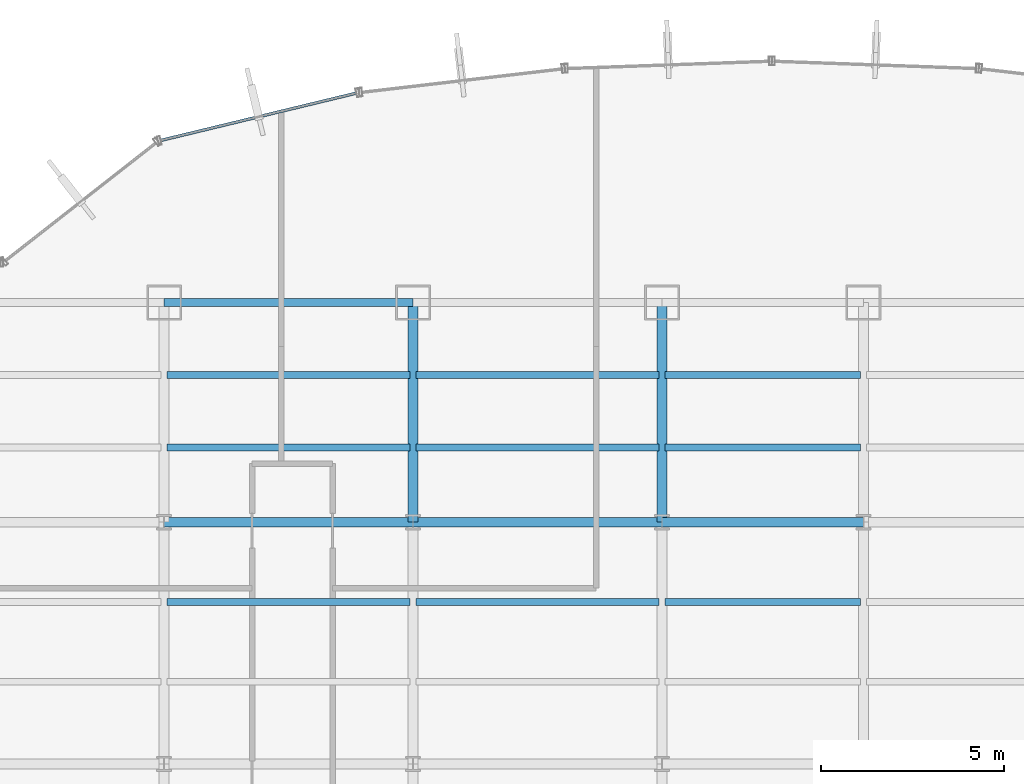
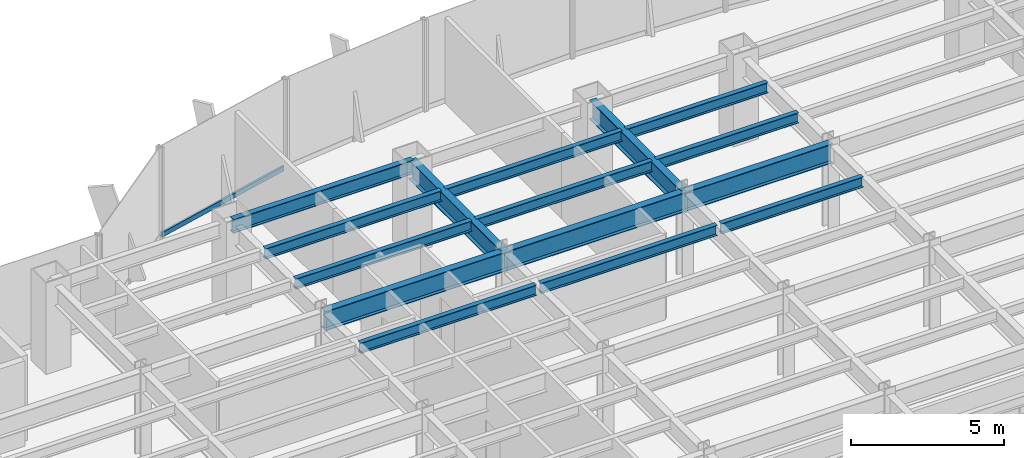
# One storey, part 11 of 22: 15 beams, 1 member, 1 element without a shape of its own.
"""IFC4 building model written with IfcOpenShell, lengths in metres."""

from ifc_helpers import new_model, si_unit, derived_unit, direction, frame, origin, origin_2d, place, context, subcontext, project, spatial, hollow_rectangle, i_section, extrude, source, transform, mapped, material, material_profile, profile_set, type_object, element, aggregate, save


model = new_model("IFC4")

# Units and contexts
model_context = context("Model", 3, precision=1e-05, world=origin(), true_north=direction((0.0, 1.0)))
body_context = subcontext(model_context, "Body", "Model", "MODEL_VIEW")
ifc_project = project(units=[si_unit("LENGTHUNIT", "METRE"), si_unit("AREAUNIT", "SQUARE_METRE"), si_unit("VOLUMEUNIT", "CUBIC_METRE"), si_unit("PLANEANGLEUNIT", "RADIAN"), si_unit("MASSUNIT", "GRAM", prefix="KILO"), derived_unit("THERMALTRANSMITTANCEUNIT", [(si_unit("POWERUNIT", "WATT"), 1), (si_unit("LENGTHUNIT", "METRE"), -2), (si_unit("THERMODYNAMICTEMPERATUREUNIT", "KELVIN"), -1)])], contexts=[model_context])

# Site, building, storey
site_placement = place(None, origin())
site = spatial("IfcSite", under=ifc_project, at=site_placement, CompositionType="ELEMENT")
building_placement = place(site_placement, origin())
building = spatial("IfcBuilding", under=site, at=building_placement, Name="Skarnbrae Concourse Arena and Tower", CompositionType="ELEMENT")
storey_placement = place(building_placement, frame((0.0, 0.0, 76.300048828125)))
storey = spatial("IfcBuildingStorey", under=building, at=storey_placement, Name="L18", CompositionType="ELEMENT", Elevation=76.300048828125)

# Beams
ifc_material_1 = material(Name="Steel CSA G40.21 350W", Category="steel")
ifc_material_profile_1 = material_profile(ifc_material_1, i_section(OverallWidth=0.26806640625, OverallDepth=0.77001953125, WebThickness=0.015625, FlangeThickness=0.025390625, at=origin_2d()), Name="W760X196")
ifc_profile_set_1 = profile_set([ifc_material_profile_1], Name="Steel CSA G40.21 350W")
beam_type_1 = type_object("IfcBeamType", Name="BM-GIRD-W760X196", PredefinedType="BEAM", material=ifc_profile_set_1)
shared_shape_1 = source(origin(), body_context, "Body", "SweptSolid", [
    extrude(i_section(OverallWidth=0.26806640625, OverallDepth=0.77001953125, WebThickness=0.015625, FlangeThickness=0.025390625, at=origin_2d()), origin(), (0.0, 0.0, 1.0), 6.800048828125),
])
for number, where, z_axis, x_axis, name in (
    (1, (14.39990234375, 34.39990234375, 3.014892578125), (1.0, 0.0, 0.0), (0.0, 1.0, 0.0), "L18 Primary E-W girder Y34.4-3"),
    (2, (21.199951171875, 34.39990234375, 3.014892578125), (1.0, 0.0, 0.0), (0.0, 1.0, 0.0), "L18 Primary E-W girder Y34.4-4"),
):
    element("IfcBeam", number, at=place(storey_placement, frame(where, z_axis=z_axis, x_axis=x_axis)), inside=storey, type_object=beam_type_1, Name=name, PredefinedType="BEAM", context=body_context, shape_type="MappedRepresentation", body=[
        mapped(shared_shape_1, transform((0.0, 0.0, 0.0))),
    ])
shared_shape_2 = source(origin(), body_context, "Body", "SweptSolid", [
    extrude(i_section(OverallWidth=0.26806640625, OverallDepth=0.77001953125, WebThickness=0.015625, FlangeThickness=0.025390625, at=origin_2d()), origin(), (0.0, 0.0, 1.0), 5.5),
])
beam_1_placement = place(storey_placement, frame((28.0, 34.39990234375, 3.014892578125), z_axis=(1.0, 0.0, 0.0), x_axis=(0.0, 1.0, 0.0)))
element("IfcBeam", 3, at=beam_1_placement, inside=storey, type_object=beam_type_1, Name="L18 Primary E-W girder Y34.4-5", PredefinedType="BEAM", context=body_context, shape_type="MappedRepresentation", body=[
    mapped(shared_shape_2, transform((0.0, 0.0, 0.0))),
])
shared_shape_3 = source(origin(), body_context, "Body", "SweptSolid", [
    extrude(i_section(OverallWidth=0.26806640625, OverallDepth=0.77001953125, WebThickness=0.015625, FlangeThickness=0.025390625, at=origin_2d()), origin(), (0.0, 0.0, 1.0), 6.0),
])
for number, where, z_axis, x_axis, name in (
    (4, (21.199951171875, 34.39990234375, 3.014892578125), (0.0, 1.0, 0.0), (-1.0, 0.0, 0.0), "L18 Primary N-S girder X21.2-4"),
    (5, (28.0, 34.39990234375, 3.014892578125), (0.0, 1.0, 0.0), (-1.0, 0.0, 0.0), "L18 Primary N-S girder X28.0-4"),
):
    element("IfcBeam", number, at=place(storey_placement, frame(where, z_axis=z_axis, x_axis=x_axis)), inside=storey, type_object=beam_type_1, Name=name, PredefinedType="BEAM", context=body_context, shape_type="MappedRepresentation", body=[
        mapped(shared_shape_3, transform((0.0, 0.0, 0.0))),
    ])
ifc_material_profile_2 = material_profile(ifc_material_1, i_section(OverallWidth=0.214111328125, OverallDepth=0.549072265625, WebThickness=0.0146484375, FlangeThickness=0.023681640625, at=origin_2d()), Name="W530X138")
ifc_profile_set_2 = profile_set([ifc_material_profile_2], Name="Steel CSA G40.21 350W")
beam_type_2 = type_object("IfcBeamType", Name="BM-SPAN-W530X138", PredefinedType="SPANDREL", material=ifc_profile_set_2)
shared_shape_4 = source(origin(), body_context, "Body", "SweptSolid", [
    extrude(i_section(OverallWidth=0.214111328125, OverallDepth=0.549072265625, WebThickness=0.0146484375, FlangeThickness=0.023681640625, at=origin_2d()), origin(), (0.0, 0.0, 1.0), 6.800048828125),
])
beam_2_placement = place(storey_placement, frame((14.39990234375, 40.39990234375, 3.12548828125), z_axis=(1.0, 0.0, 0.0), x_axis=(0.0, 1.0, 0.0)))
element("IfcBeam", 6, at=beam_2_placement, inside=storey, type_object=beam_type_2, Name="L18 Perimeter spandrel Y40.4-2", PredefinedType="SPANDREL", context=body_context, shape_type="MappedRepresentation", body=[
    mapped(shared_shape_4, transform((0.0, 0.0, 0.0))),
])
ifc_material_profile_3 = material_profile(ifc_material_1, i_section(OverallWidth=0.180908203125, OverallDepth=0.4169921875, WebThickness=0.010986328125, FlangeThickness=0.018310546875, at=origin_2d()), Name="W410X85")
ifc_profile_set_3 = profile_set([ifc_material_profile_3], Name="Steel CSA G40.21 350W")
beam_type_3 = type_object("IfcBeamType", Name="BM-JOIST-W410X85", PredefinedType="JOIST", material=ifc_profile_set_3)
shared_shape_5 = source(origin(), body_context, "Body", "SweptSolid", [
    extrude(i_section(OverallWidth=0.180908203125, OverallDepth=0.4169921875, WebThickness=0.010986328125, FlangeThickness=0.018310546875, at=origin_2d()), origin(), (0.0, 0.0, 1.0), 6.64013671875),
])
for number, where, z_axis, x_axis, name in (
    (7, (14.47998046875, 32.221923828125, 3.19140625), (1.0, 0.0, 0.0), (0.0, 1.0, 0.0), "L18 Secondary floor joist 3.2.3"),
    (8, (14.47998046875, 36.43994140625, 3.19140625), (1.0, 0.0, 0.0), (0.0, 1.0, 0.0), "L18 Secondary floor joist 4.1.2"),
    (9, (14.47998046875, 38.419921875, 3.19140625), (1.0, 0.0, 0.0), (0.0, 1.0, 0.0), "L18 Secondary floor joist 4.2.2"),
):
    element("IfcBeam", number, at=place(storey_placement, frame(where, z_axis=z_axis, x_axis=x_axis)), inside=storey, type_object=beam_type_3, Name=name, PredefinedType="JOIST", context=body_context, shape_type="MappedRepresentation", body=[
        mapped(shared_shape_5, transform((0.0, 0.0, 0.0))),
    ])
shared_shape_6 = source(origin(), body_context, "Body", "SweptSolid", [
    extrude(i_section(OverallWidth=0.180908203125, OverallDepth=0.4169921875, WebThickness=0.010986328125, FlangeThickness=0.018310546875, at=origin_2d()), origin(), (0.0, 0.0, 1.0), 6.639892578125),
])
for number, where, z_axis, x_axis, name in (
    (10, (21.280029296875, 32.221923828125, 3.19140625), (1.0, 0.0, 0.0), (0.0, 1.0, 0.0), "L18 Secondary floor joist 3.2.4"),
    (11, (21.280029296875, 36.43994140625, 3.19140625), (1.0, 0.0, 0.0), (0.0, 1.0, 0.0), "L18 Secondary floor joist 4.1.3"),
    (12, (21.280029296875, 38.419921875, 3.19140625), (1.0, 0.0, 0.0), (0.0, 1.0, 0.0), "L18 Secondary floor joist 4.2.3"),
):
    element("IfcBeam", number, at=place(storey_placement, frame(where, z_axis=z_axis, x_axis=x_axis)), inside=storey, type_object=beam_type_3, Name=name, PredefinedType="JOIST", context=body_context, shape_type="MappedRepresentation", body=[
        mapped(shared_shape_6, transform((0.0, 0.0, 0.0))),
    ])
shared_shape_7 = source(origin(), body_context, "Body", "SweptSolid", [
    extrude(i_section(OverallWidth=0.180908203125, OverallDepth=0.4169921875, WebThickness=0.010986328125, FlangeThickness=0.018310546875, at=origin_2d()), origin(), (0.0, 0.0, 1.0), 5.33984375),
])
for number, where, z_axis, x_axis, name in (
    (13, (28.080078125, 32.221923828125, 3.19140625), (1.0, 0.0, 0.0), (0.0, 1.0, 0.0), "L18 Secondary floor joist 3.2.5"),
    (14, (28.080078125, 36.43994140625, 3.19140625), (1.0, 0.0, 0.0), (0.0, 1.0, 0.0), "L18 Secondary floor joist 4.1.4"),
    (15, (28.080078125, 38.419921875, 3.19140625), (1.0, 0.0, 0.0), (0.0, 1.0, 0.0), "L18 Secondary floor joist 4.2.4"),
):
    element("IfcBeam", number, at=place(storey_placement, frame(where, z_axis=z_axis, x_axis=x_axis)), inside=storey, type_object=beam_type_3, Name=name, PredefinedType="JOIST", context=body_context, shape_type="MappedRepresentation", body=[
        mapped(shared_shape_7, transform((0.0, 0.0, 0.0))),
    ])

# Curtain wall, member
ifc_material_2 = material(Name="Bronze anodised aluminium 6063-T6", Category="aluminium")
curtain_wall_type = type_object("IfcCurtainWallType", Name="CW-SYS-02-LOWZONE", PredefinedType="USERDEFINED", material=ifc_material_2)
curtain_wall_placement = place(storey_placement, origin())
curtain_wall = element("IfcCurtainWall", 16, at=curtain_wall_placement, inside=storey, type_object=curtain_wall_type, Name="L18 Unitised curtain wall CW-L18-E14", ObjectType="UNITISED CURTAIN WALL", PredefinedType="USERDEFINED")
ifc_material_profile_4 = material_profile(ifc_material_2, hollow_rectangle(XDim=0.080078125, YDim=0.18994140625, WallThickness=0.0048828125, at=origin_2d()), Name="ALU-TRAN-80X190")
ifc_profile_set_4 = profile_set([ifc_material_profile_4], Name="Bronze anodised aluminium 6063-T6")
member_type = type_object("IfcMemberType", Name="CWT-CW-02", PredefinedType="USERDEFINED", material=ifc_profile_set_4)
shared_shape_8 = source(origin(), body_context, "Body", "SweptSolid", [
    extrude(hollow_rectangle(XDim=0.080078125, YDim=0.18994140625, WallThickness=0.0048828125, at=origin_2d()), origin(), (0.0, 0.0, 1.0), 5.4921875),
])
member_placement = place(storey_placement, frame((19.64990234375, 46.12158203125, 0.094970703125), z_axis=(-0.971980728004, -0.235060554728, 0.0), x_axis=(0.235060554728, -0.971980728004, 0.0)))
member = element("IfcMember", 17, at=member_placement, type_object=member_type, Name="CW-L18-E14 Transom 1", ObjectType="TRANSOM", PredefinedType="USERDEFINED", context=body_context, shape_type="MappedRepresentation", body=[
    mapped(shared_shape_8, transform((0.0, 0.0, 0.0))),
])
aggregate(curtain_wall, [member])

save(model, "model.ifc")
